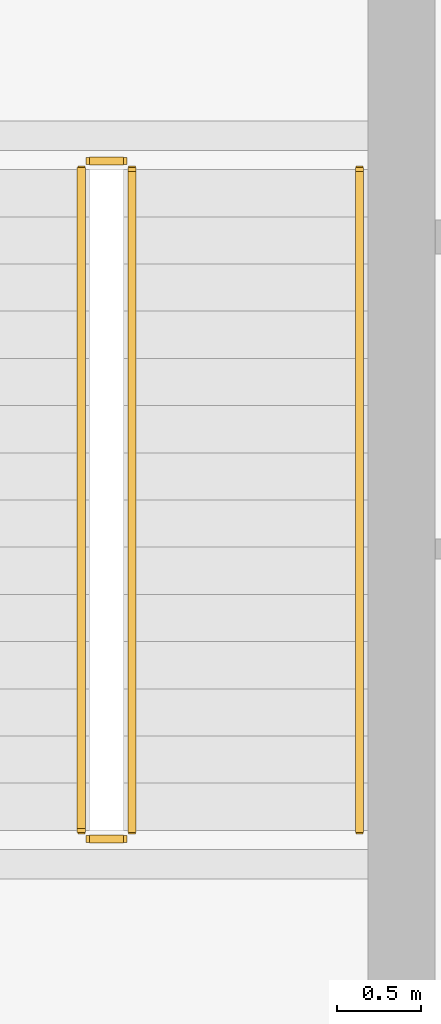
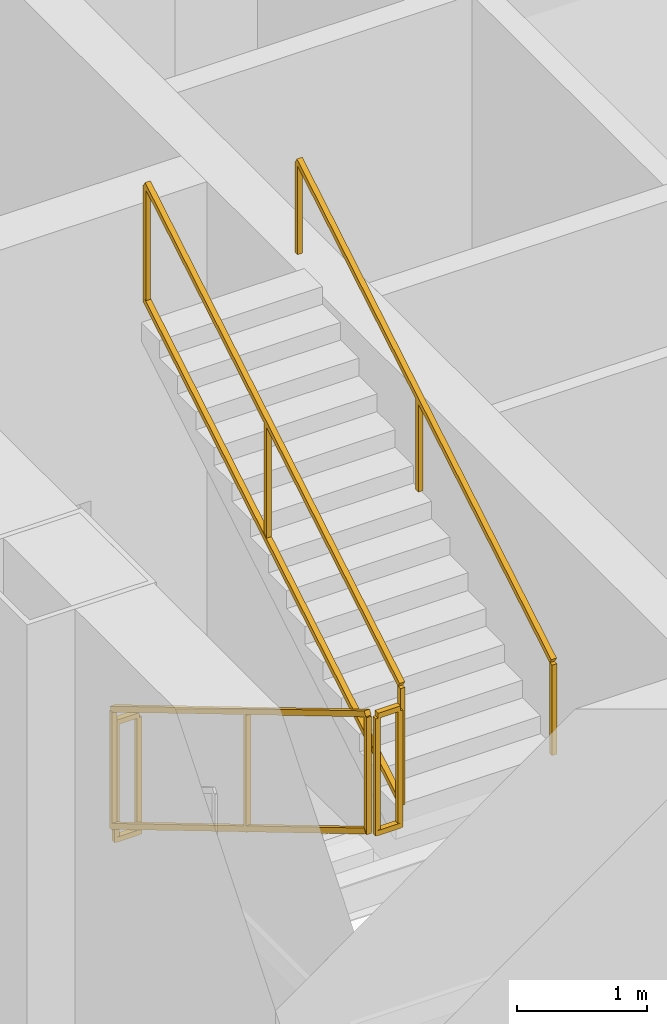
# One storey, part 13 of 18: 5 railings.
"""IFC4 building model written with IfcOpenShell, lengths in metres."""

from ifc_helpers import new_model, si_unit, direction, frame, origin, origin_2d, place, context, subcontext, project, spatial, rectangle, extrude, material, type_object, element, save


model = new_model("IFC4")

# Units and contexts
model_context = context("Model", 3, precision=1e-05, world=origin(), true_north=direction((0.0, 1.0)))
body_context = subcontext(model_context, "Body", "Model", "MODEL_VIEW")
ifc_project = project(units=[si_unit("LENGTHUNIT", "METRE"), si_unit("AREAUNIT", "SQUARE_METRE"), si_unit("VOLUMEUNIT", "CUBIC_METRE"), si_unit("PLANEANGLEUNIT", "RADIAN"), si_unit("MASSUNIT", "GRAM", prefix="KILO"), si_unit("THERMODYNAMICTEMPERATUREUNIT", "KELVIN"), si_unit("POWERUNIT", "WATT")], contexts=[model_context])

# Site, building, storey
site_placement = place(None, origin())
site = spatial("IfcSite", under=ifc_project, at=site_placement, CompositionType="ELEMENT")
building_placement = place(site_placement, origin())
building = spatial("IfcBuilding", under=site, at=building_placement, Name="Yunzhuo Pagoda Commons", CompositionType="ELEMENT")
storey_placement = place(building_placement, frame((0.0, 0.0, 25.39990234375)))
storey = spatial("IfcBuildingStorey", under=building, at=storey_placement, Name="L06", CompositionType="ELEMENT", Elevation=25.39990234375)

# Railings
ifc_material = material(Name="Anodized aluminium 6063-T6", Category="aluminium")
railing_type_1 = type_object("IfcRailingType", Name="GR-ST1 Stair Well Guardrail 1150", PredefinedType="GUARDRAIL", material=ifc_material)
railing_1_placement = place(storey_placement, frame((37.5, 33.89990234375, 0.166748046875)))
element("IfcRailing", 1, at=railing_1_placement, inside=storey, type_object=railing_type_1, Name="L06 ST1 stair guard 1", PredefinedType="GUARDRAIL", context=body_context, shape_type="SweptSolid", body=[
    extrude(rectangle(XDim=0.048095703125, YDim=0.048095703125, at=origin_2d()), frame((0.0, 0.0, 1.1259765625), z_axis=(0.0, -0.859296244711, 0.511478214419), x_axis=(1.0, 0.0, 0.0)), (0.0, 0.0, 1.0), 4.561767578125),
    extrude(rectangle(XDim=0.048095703125, YDim=0.048095703125, at=origin_2d()), frame((0.0, 0.0, 0.02392578125), z_axis=(0.0, -0.859296244711, 0.511478214419), x_axis=(1.0, 0.0, 0.0)), (0.0, 0.0, 1.0), 4.561767578125),
    extrude(rectangle(XDim=0.0419921875, YDim=0.0419921875, at=origin_2d()), origin(), (0.0, 0.0, 1.0), 1.101806640625),
    extrude(rectangle(XDim=0.0419921875, YDim=0.0419921875, at=origin_2d()), frame((0.0, -2.062255859375, 1.2275390625)), (0.0, 0.0, 1.0), 1.101806640625),
    extrude(rectangle(XDim=0.0419921875, YDim=0.0419921875, at=origin_2d()), frame((0.0, -3.919921875, 2.333251953125)), (0.0, 0.0, 1.0), 1.101806640625),
])
railing_2_placement = place(storey_placement, frame((37.550048828125, 29.929931640625, 2.5)))
element("IfcRailing", 2, at=railing_2_placement, inside=storey, type_object=railing_type_1, Name="L06 ST1 stair guard 2", PredefinedType="GUARDRAIL", context=body_context, shape_type="SweptSolid", body=[
    extrude(rectangle(XDim=0.048095703125, YDim=0.048095703125, at=origin_2d()), frame((0.0, 0.0, 1.1259765625), z_axis=(1.0, 0.0, 0.0), x_axis=(0.0, 1.0, 0.0)), (0.0, 0.0, 1.0), 0.199951171875),
    extrude(rectangle(XDim=0.048095703125, YDim=0.048095703125, at=origin_2d()), frame((0.0, 0.0, 0.02392578125), z_axis=(1.0, 0.0, 0.0), x_axis=(0.0, 1.0, 0.0)), (0.0, 0.0, 1.0), 0.199951171875),
    extrude(rectangle(XDim=0.0419921875, YDim=0.0419921875, at=origin_2d()), origin(), (0.0, 0.0, 1.0), 1.101806640625),
    extrude(rectangle(XDim=0.0419921875, YDim=0.0419921875, at=origin_2d()), frame((0.199951171875, 0.0, 0.0)), (0.0, 0.0, 1.0), 1.101806640625),
])
railing_3_placement = place(storey_placement, frame((37.800048828125, 29.97998046875, 2.666748046875)))
element("IfcRailing", 3, at=railing_3_placement, inside=storey, type_object=railing_type_1, Name="L06 ST1 stair guard 3", PredefinedType="GUARDRAIL", context=body_context, shape_type="SweptSolid", body=[
    extrude(rectangle(XDim=0.048095703125, YDim=0.048095703125, at=origin_2d()), frame((0.0, 0.0, 1.1259765625), z_axis=(0.0, 0.859296244711, 0.511478214419), x_axis=(-1.0, 0.0, 0.0)), (0.0, 0.0, 1.0), 4.561767578125),
    extrude(rectangle(XDim=0.048095703125, YDim=0.048095703125, at=origin_2d()), frame((0.0, 0.0, 0.02392578125), z_axis=(0.0, 0.859296244711, 0.511478214419), x_axis=(-1.0, 0.0, 0.0)), (0.0, 0.0, 1.0), 4.561767578125),
    extrude(rectangle(XDim=0.0419921875, YDim=0.0419921875, at=origin_2d()), origin(), (0.0, 0.0, 1.0), 1.101806640625),
    extrude(rectangle(XDim=0.0419921875, YDim=0.0419921875, at=origin_2d()), frame((0.0, 2.062255859375, 1.2275390625)), (0.0, 0.0, 1.0), 1.101806640625),
    extrude(rectangle(XDim=0.0419921875, YDim=0.0419921875, at=origin_2d()), frame((0.0, 3.919921875, 2.333251953125)), (0.0, 0.0, 1.0), 1.101806640625),
])
railing_4_placement = place(storey_placement, frame((37.550048828125, 33.949951171875, 0.0)))
element("IfcRailing", 4, at=railing_4_placement, inside=storey, type_object=railing_type_1, Name="L06 ST1 stair guard 4", PredefinedType="GUARDRAIL", context=body_context, shape_type="SweptSolid", body=[
    extrude(rectangle(XDim=0.048095703125, YDim=0.048095703125, at=origin_2d()), frame((0.0, 0.0, 1.1259765625), z_axis=(1.0, 0.0, 0.0), x_axis=(0.0, 1.0, 0.0)), (0.0, 0.0, 1.0), 0.199951171875),
    extrude(rectangle(XDim=0.048095703125, YDim=0.048095703125, at=origin_2d()), frame((0.0, 0.0, 0.02392578125), z_axis=(1.0, 0.0, 0.0), x_axis=(0.0, 1.0, 0.0)), (0.0, 0.0, 1.0), 0.199951171875),
    extrude(rectangle(XDim=0.0419921875, YDim=0.0419921875, at=origin_2d()), origin(), (0.0, 0.0, 1.0), 1.101806640625),
    extrude(rectangle(XDim=0.0419921875, YDim=0.0419921875, at=origin_2d()), frame((0.199951171875, 0.0, 0.0)), (0.0, 0.0, 1.0), 1.101806640625),
])
railing_type_2 = type_object("IfcRailingType", Name="HR-ST1 Stair Handrail 900", PredefinedType="HANDRAIL", material=ifc_material)
railing_5_placement = place(storey_placement, frame((39.14990234375, 29.97998046875, 2.666748046875)))
element("IfcRailing", 5, at=railing_5_placement, inside=storey, type_object=railing_type_2, Name="L06 ST1 stair handrail 2", PredefinedType="HANDRAIL", context=body_context, shape_type="SweptSolid", body=[
    extrude(rectangle(XDim=0.048095703125, YDim=0.048095703125, at=origin_2d()), frame((0.0, 0.0, 0.8759765625), z_axis=(0.0, 0.859296244711, 0.511478214419), x_axis=(-1.0, 0.0, 0.0)), (0.0, 0.0, 1.0), 4.561767578125),
    extrude(rectangle(XDim=0.0419921875, YDim=0.0419921875, at=origin_2d()), origin(), (0.0, 0.0, 1.0), 0.851806640625),
    extrude(rectangle(XDim=0.0419921875, YDim=0.0419921875, at=origin_2d()), frame((0.0, 2.062255859375, 1.2275390625)), (0.0, 0.0, 1.0), 0.851806640625),
    extrude(rectangle(XDim=0.0419921875, YDim=0.0419921875, at=origin_2d()), frame((0.0, 3.919921875, 2.333251953125)), (0.0, 0.0, 1.0), 0.851806640625),
])

save(model, "model.ifc")
